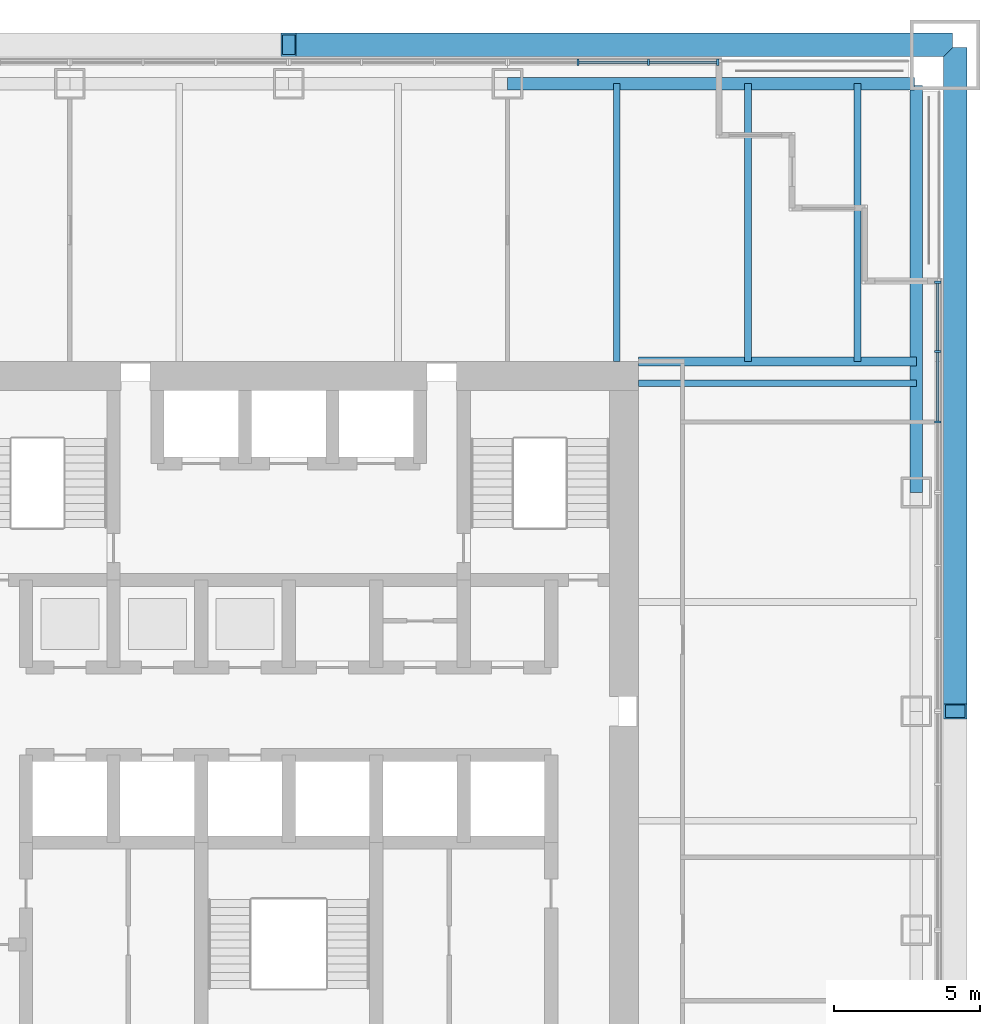
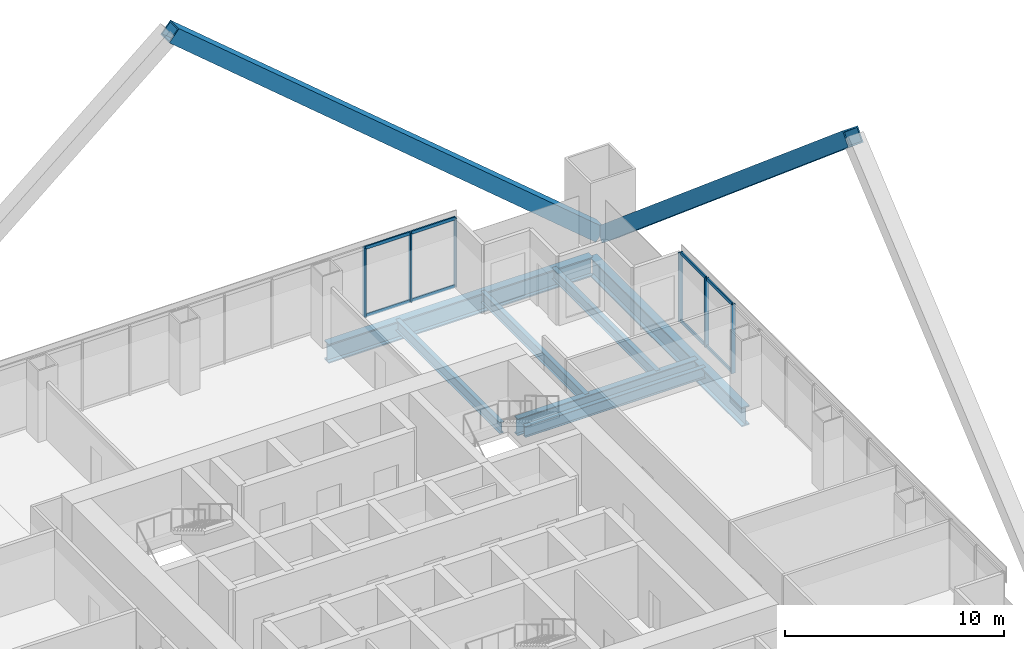
# One storey, part 6 of 14: 16 members, 7 beams, 2 elements without a shape of their own.
"""IFC4 building model written with IfcOpenShell, lengths in metres."""

from ifc_helpers import new_model, si_unit, direction, frame, origin, origin_2d, place, context, subcontext, project, spatial, rectangle, hollow_rectangle, i_section, extrude, material, material_profile, profile_set, type_object, element, aggregate, save


model = new_model("IFC4")

# Units and contexts
model_context = context("Model", 3, precision=1e-05, world=origin(), true_north=direction((0.0, 1.0)))
body_context = subcontext(model_context, "Body", "Model", "MODEL_VIEW")
ifc_project = project(units=[si_unit("LENGTHUNIT", "METRE"), si_unit("AREAUNIT", "SQUARE_METRE"), si_unit("VOLUMEUNIT", "CUBIC_METRE"), si_unit("PLANEANGLEUNIT", "RADIAN"), si_unit("MASSUNIT", "GRAM", prefix="KILO")], contexts=[model_context])

# Site, building, storey
site_placement = place(None, origin())
site = spatial("IfcSite", under=ifc_project, at=site_placement, CompositionType="ELEMENT")
building_placement = place(site_placement, origin())
building = spatial("IfcBuilding", under=site, at=building_placement, Name="Tarangal Relay Tower", CompositionType="ELEMENT")
storey_placement = place(building_placement, frame((0.0, 0.0, 177.89990234375)))
storey = spatial("IfcBuildingStorey", under=building, at=storey_placement, Name="L36", CompositionType="ELEMENT", Elevation=177.89990234375)

# Beams
ifc_material_1 = material(Name="Steel ASTM A992", Category="steel")
ifc_material_profile_1 = material_profile(ifc_material_1, i_section(OverallWidth=0.23046875, OverallDepth=0.6171875, WebThickness=0.01318359375, FlangeThickness=0.022216796875, at=origin_2d()), Name="W24X94")
ifc_profile_set_1 = profile_set([ifc_material_profile_1], Name="Steel ASTM A992")
beam_type_1 = type_object("IfcBeamType", Name="Corner beam W24X94", PredefinedType="JOIST", material=ifc_profile_set_1)
for number, where, z_axis, x_axis, name in (
    (1, (15.75, 12.0, -0.45849609375), (0.0, 1.0, 0.0), (-1.0, 0.0, 0.0), "Corner beam CB14 N L36"),
    (2, (19.5, 12.0, -0.45849609375), (0.0, 1.0, 0.0), (-1.0, 0.0, 0.0), "Corner beam CB14 N L36"),
):
    element("IfcBeam", number, at=place(storey_placement, frame(where, z_axis=z_axis, x_axis=x_axis)), inside=storey, type_object=beam_type_1, Name=name, PredefinedType="JOIST", context=body_context, shape_type="SweptSolid", body=[
        extrude(i_section(OverallWidth=0.23046875, OverallDepth=0.6171875, WebThickness=0.01318359375, FlangeThickness=0.022216796875, at=origin_2d()), origin(), (0.0, 0.0, 1.0), 9.514892578125),
    ])
ifc_material_profile_2 = material_profile(ifc_material_1, i_section(OverallWidth=0.307373046875, OverallDepth=0.9423828125, WebThickness=0.022216796875, FlangeThickness=0.039794921875, at=origin_2d()), Name="W36X232")
ifc_profile_set_2 = profile_set([ifc_material_profile_2], Name="Steel ASTM A992")
beam_type_2 = type_object("IfcBeamType", Name="Corner girder W36X232", PredefinedType="BEAM", material=ifc_profile_set_2)
beam_placement = place(storey_placement, frame((12.0, 12.0, -0.62109375), z_axis=(1.0, 0.0, 0.0), x_axis=(0.0, 1.0, 0.0)))
element("IfcBeam", 3, at=beam_placement, inside=storey, type_object=beam_type_2, Name="Corner girder CG4 N L36", PredefinedType="BEAM", context=body_context, shape_type="SweptSolid", body=[
    extrude(i_section(OverallWidth=0.307373046875, OverallDepth=0.9423828125, WebThickness=0.022216796875, FlangeThickness=0.039794921875, at=origin_2d()), origin(), (0.0, 0.0, 1.0), 9.514892578125),
])
ifc_material_profile_3 = material_profile(ifc_material_1, i_section(OverallWidth=0.41650390625, OverallDepth=1.0693359375, WebThickness=0.0390625, FlangeThickness=0.070068359375, at=origin_2d()), Name="W40X503")
ifc_profile_set_3 = profile_set([ifc_material_profile_3], Name="Steel ASTM A992")
beam_type_3 = type_object("IfcBeamType", Name="Edge girder W40X503", PredefinedType="SPANDREL", material=ifc_profile_set_3)
for number, where, z_axis, x_axis, name in (
    (4, (7.5, 21.514892578125, -0.6845703125), (1.0, 0.0, 0.0), (0.0, 1.0, 0.0), "Edge girder EG8 N L36"),
    (5, (21.514892578125, 21.449951171875, -0.6845703125), (0.0, -1.0, 0.0), (1.0, 0.0, 0.0), "Edge girder EG8 E L36"),
):
    element("IfcBeam", number, at=place(storey_placement, frame(where, z_axis=z_axis, x_axis=x_axis)), inside=storey, type_object=beam_type_3, Name=name, PredefinedType="SPANDREL", context=body_context, shape_type="SweptSolid", body=[
        extrude(i_section(OverallWidth=0.41650390625, OverallDepth=1.0693359375, WebThickness=0.0390625, FlangeThickness=0.070068359375, at=origin_2d()), origin(), (0.0, 0.0, 1.0), 13.949951171875),
    ])
ifc_material_profile_4 = material_profile(ifc_material_1, i_section(OverallWidth=0.22900390625, OverallDepth=0.612060546875, WebThickness=0.011962890625, FlangeThickness=0.01953125, at=origin_2d()), Name="W24X84")
ifc_profile_set_4 = profile_set([ifc_material_profile_4], Name="Steel ASTM A992")
beam_type_4 = type_object("IfcBeamType", Name="Floor beam W24X84", PredefinedType="BEAM", material=ifc_profile_set_4)
for number, where, z_axis, x_axis, name in (
    (6, (11.25, 12.0, -0.455810546875), (0.0, 1.0, 0.0), (-1.0, 0.0, 0.0), "Floor beam RB12 N L36"),
    (7, (12.0, 11.25, -0.455810546875), (1.0, 0.0, 0.0), (0.0, 1.0, 0.0), "Floor beam RB12 E L36"),
):
    element("IfcBeam", number, at=place(storey_placement, frame(where, z_axis=z_axis, x_axis=x_axis)), inside=storey, type_object=beam_type_4, Name=name, PredefinedType="BEAM", context=body_context, shape_type="SweptSolid", body=[
        extrude(i_section(OverallWidth=0.22900390625, OverallDepth=0.612060546875, WebThickness=0.011962890625, FlangeThickness=0.01953125, at=origin_2d()), origin(), (0.0, 0.0, 1.0), 9.514892578125),
    ])

# Members
ifc_material_2 = material(Name="Steel ASTM A572 Grade 50", Category="steel")
ifc_material_profile_5 = material_profile(ifc_material_2, hollow_rectangle(XDim=0.800048828125, YDim=0.800048828125, WallThickness=0.06494140625, at=origin_2d()), Name="BOX800X800X65")
ifc_profile_set_5 = profile_set([ifc_material_profile_5], Name="Steel ASTM A572 Grade 50")
member_type_1 = type_object("IfcMemberType", Name="Mega brace BOX800X800X65", PredefinedType="BRACE", material=ifc_profile_set_5)
for number, where, z_axis, x_axis, name in (
    (8, (22.5, 22.85009765625, 0.0), (-0.764029915847, 0.0, 0.645180817826), (0.0, -1.0, 0.0), "Mega brace MB3 N face module 1"),
    (9, (22.85009765625, 22.5, 0.0), (0.0, -0.764029915847, 0.645180817826), (1.0, 0.0, 0.0), "Mega brace MB3 E face module 1"),
):
    element("IfcMember", number, at=place(storey_placement, frame(where, z_axis=z_axis, x_axis=x_axis)), inside=storey, type_object=member_type_1, Name=name, PredefinedType="BRACE", context=body_context, shape_type="SweptSolid", body=[
        extrude(hollow_rectangle(XDim=0.800048828125, YDim=0.800048828125, WallThickness=0.06494140625, at=origin_2d()), origin(), (0.0, 0.0, 1.0), 29.44921875),
    ])

# Curtain wall, members
ifc_material_3 = material(Name="Unitised curtain wall, dark glass and black aluminium", Category="aluminium")
curtain_wall_type = type_object("IfcCurtainWallType", Name="Curtain wall CW-S", PredefinedType="USERDEFINED", material=ifc_material_3)
curtain_wall_1_placement = place(storey_placement, origin())
curtain_wall_1 = element("IfcCurtainWall", 10, at=curtain_wall_1_placement, inside=storey, type_object=curtain_wall_type, Name="Curtain wall CW-S N facade L36", ObjectType="UNITISED CURTAIN WALL", PredefinedType="USERDEFINED")
ifc_material_4 = material(Name="Black anodised aluminium mullion", Category="aluminium")
ifc_material_profile_6 = material_profile(ifc_material_4, rectangle(XDim=0.219970703125, YDim=0.074951171875, at=origin_2d()), Name="CW-SM 75X220")
ifc_profile_set_6 = profile_set([ifc_material_profile_6], Name="Black anodised aluminium mullion")
member_type_2 = type_object("IfcMemberType", Name="Mullion CW-S 75 x 220", PredefinedType="MULLION", material=ifc_profile_set_6)
member_1_placement = place(storey_placement, frame((9.916748046875, 22.25, 0.0), z_axis=(0.0, 0.0, 1.0), x_axis=(0.0, 1.0, 0.0)))
member_1 = element("IfcMember", 11, at=member_1_placement, type_object=member_type_2, Name="CW-S mullion 2", PredefinedType="MULLION", context=body_context, shape_type="SweptSolid", body=[
    extrude(rectangle(XDim=0.219970703125, YDim=0.074951171875, at=origin_2d()), origin(), (0.0, 0.0, 1.0), 3.85009765625),
])
member_2_placement = place(storey_placement, frame((12.333251953125, 22.25, 0.0), z_axis=(0.0, 0.0, 1.0), x_axis=(0.0, 1.0, 0.0)))
member_2 = element("IfcMember", 12, at=member_2_placement, type_object=member_type_2, Name="CW-S mullion 3", PredefinedType="MULLION", context=body_context, shape_type="SweptSolid", body=[
    extrude(rectangle(XDim=0.219970703125, YDim=0.074951171875, at=origin_2d()), origin(), (0.0, 0.0, 1.0), 3.85009765625),
])
member_3_placement = place(storey_placement, frame((14.71240234375, 22.25, 0.0), z_axis=(0.0, 0.0, 1.0), x_axis=(0.0, 1.0, 0.0)))
member_3 = element("IfcMember", 13, at=member_3_placement, type_object=member_type_2, Name="CW-S mullion 4", PredefinedType="MULLION", context=body_context, shape_type="SweptSolid", body=[
    extrude(rectangle(XDim=0.219970703125, YDim=0.074951171875, at=origin_2d()), origin(), (0.0, 0.0, 1.0), 3.85009765625),
])

curtain_wall_2_placement = place(storey_placement, origin())
curtain_wall_2 = element("IfcCurtainWall", 14, at=curtain_wall_2_placement, inside=storey, type_object=curtain_wall_type, Name="Curtain wall CW-S E facade L36", ObjectType="UNITISED CURTAIN WALL", PredefinedType="USERDEFINED")
member_4_placement = place(storey_placement, frame((22.25, 14.71240234375, 0.0), z_axis=(0.0, 0.0, 1.0), x_axis=(1.0, 0.0, 0.0)))
member_4 = element("IfcMember", 15, at=member_4_placement, type_object=member_type_2, Name="CW-S mullion 1", PredefinedType="MULLION", context=body_context, shape_type="SweptSolid", body=[
    extrude(rectangle(XDim=0.219970703125, YDim=0.074951171875, at=origin_2d()), origin(), (0.0, 0.0, 1.0), 3.85009765625),
])
member_5_placement = place(storey_placement, frame((22.25, 12.333251953125, 0.0), z_axis=(0.0, 0.0, 1.0), x_axis=(1.0, 0.0, 0.0)))
member_5 = element("IfcMember", 16, at=member_5_placement, type_object=member_type_2, Name="CW-S mullion 2", PredefinedType="MULLION", context=body_context, shape_type="SweptSolid", body=[
    extrude(rectangle(XDim=0.219970703125, YDim=0.074951171875, at=origin_2d()), origin(), (0.0, 0.0, 1.0), 3.85009765625),
])
member_6_placement = place(storey_placement, frame((22.25, 9.916748046875, 0.0), z_axis=(0.0, 0.0, 1.0), x_axis=(1.0, 0.0, 0.0)))
member_6 = element("IfcMember", 17, at=member_6_placement, type_object=member_type_2, Name="CW-S mullion 3", PredefinedType="MULLION", context=body_context, shape_type="SweptSolid", body=[
    extrude(rectangle(XDim=0.219970703125, YDim=0.074951171875, at=origin_2d()), origin(), (0.0, 0.0, 1.0), 3.85009765625),
])

# Member
ifc_material_5 = material(Name="Black anodised aluminium transom", Category="aluminium")
ifc_material_profile_7 = material_profile(ifc_material_5, rectangle(XDim=0.074951171875, YDim=0.179931640625, at=origin_2d()), Name="CW-ST 75X180")
ifc_profile_set_7 = profile_set([ifc_material_profile_7], Name="Black anodised aluminium transom")
member_type_3 = type_object("IfcMemberType", Name="Transom CW-S 75 x 180", PredefinedType="USERDEFINED", material=ifc_profile_set_7)
member_7_placement = place(storey_placement, frame((9.9541015625, 22.25, 0.03759765625), z_axis=(1.0, 0.0, 0.0), x_axis=(0.0, 1.0, 0.0)))
member_7 = element("IfcMember", 18, at=member_7_placement, type_object=member_type_3, Name="CW-S transom 2.1", ObjectType="TRANSOM", PredefinedType="USERDEFINED", context=body_context, shape_type="SweptSolid", body=[
    extrude(rectangle(XDim=0.074951171875, YDim=0.179931640625, at=origin_2d()), origin(), (0.0, 0.0, 1.0), 2.341796875),
])

member_8_placement = place(storey_placement, frame((9.9541015625, 22.25, 3.8125), z_axis=(1.0, 0.0, 0.0), x_axis=(0.0, 1.0, 0.0)))
member_8 = element("IfcMember", 19, at=member_8_placement, type_object=member_type_3, Name="CW-S transom 2.2", ObjectType="TRANSOM", PredefinedType="USERDEFINED", context=body_context, shape_type="SweptSolid", body=[
    extrude(rectangle(XDim=0.074951171875, YDim=0.179931640625, at=origin_2d()), origin(), (0.0, 0.0, 1.0), 2.341796875),
])

member_9_placement = place(storey_placement, frame((12.370849609375, 22.25, 0.03759765625), z_axis=(1.0, 0.0, 0.0), x_axis=(0.0, 1.0, 0.0)))
member_9 = element("IfcMember", 20, at=member_9_placement, type_object=member_type_3, Name="CW-S transom 3.1", ObjectType="TRANSOM", PredefinedType="USERDEFINED", context=body_context, shape_type="SweptSolid", body=[
    extrude(rectangle(XDim=0.074951171875, YDim=0.179931640625, at=origin_2d()), origin(), (0.0, 0.0, 1.0), 2.30419921875),
])

member_10_placement = place(storey_placement, frame((12.370849609375, 22.25, 3.8125), z_axis=(1.0, 0.0, 0.0), x_axis=(0.0, 1.0, 0.0)))
member_10 = element("IfcMember", 21, at=member_10_placement, type_object=member_type_3, Name="CW-S transom 3.2", ObjectType="TRANSOM", PredefinedType="USERDEFINED", context=body_context, shape_type="SweptSolid", body=[
    extrude(rectangle(XDim=0.074951171875, YDim=0.179931640625, at=origin_2d()), origin(), (0.0, 0.0, 1.0), 2.30419921875),
])

aggregate(curtain_wall_1, [member_1, member_2, member_3, member_7, member_8, member_9, member_10])

member_11_placement = place(storey_placement, frame((22.25, 14.675048828125, 0.03759765625), z_axis=(0.0, -1.0, 0.0), x_axis=(1.0, 0.0, 0.0)))
member_11 = element("IfcMember", 22, at=member_11_placement, type_object=member_type_3, Name="CW-S transom 1.1", ObjectType="TRANSOM", PredefinedType="USERDEFINED", context=body_context, shape_type="SweptSolid", body=[
    extrude(rectangle(XDim=0.074951171875, YDim=0.179931640625, at=origin_2d()), origin(), (0.0, 0.0, 1.0), 2.30419921875),
])

member_12_placement = place(storey_placement, frame((22.25, 14.675048828125, 3.8125), z_axis=(0.0, -1.0, 0.0), x_axis=(1.0, 0.0, 0.0)))
member_12 = element("IfcMember", 23, at=member_12_placement, type_object=member_type_3, Name="CW-S transom 1.2", ObjectType="TRANSOM", PredefinedType="USERDEFINED", context=body_context, shape_type="SweptSolid", body=[
    extrude(rectangle(XDim=0.074951171875, YDim=0.179931640625, at=origin_2d()), origin(), (0.0, 0.0, 1.0), 2.30419921875),
])

member_13_placement = place(storey_placement, frame((22.25, 12.2958984375, 0.03759765625), z_axis=(0.0, -1.0, 0.0), x_axis=(1.0, 0.0, 0.0)))
member_13 = element("IfcMember", 24, at=member_13_placement, type_object=member_type_3, Name="CW-S transom 2.1", ObjectType="TRANSOM", PredefinedType="USERDEFINED", context=body_context, shape_type="SweptSolid", body=[
    extrude(rectangle(XDim=0.074951171875, YDim=0.179931640625, at=origin_2d()), origin(), (0.0, 0.0, 1.0), 2.341796875),
])

member_14_placement = place(storey_placement, frame((22.25, 12.2958984375, 3.8125), z_axis=(0.0, -1.0, 0.0), x_axis=(1.0, 0.0, 0.0)))
member_14 = element("IfcMember", 25, at=member_14_placement, type_object=member_type_3, Name="CW-S transom 2.2", ObjectType="TRANSOM", PredefinedType="USERDEFINED", context=body_context, shape_type="SweptSolid", body=[
    extrude(rectangle(XDim=0.074951171875, YDim=0.179931640625, at=origin_2d()), origin(), (0.0, 0.0, 1.0), 2.341796875),
])

aggregate(curtain_wall_2, [member_4, member_5, member_6, member_11, member_12, member_13, member_14])

save(model, "model.ifc")
